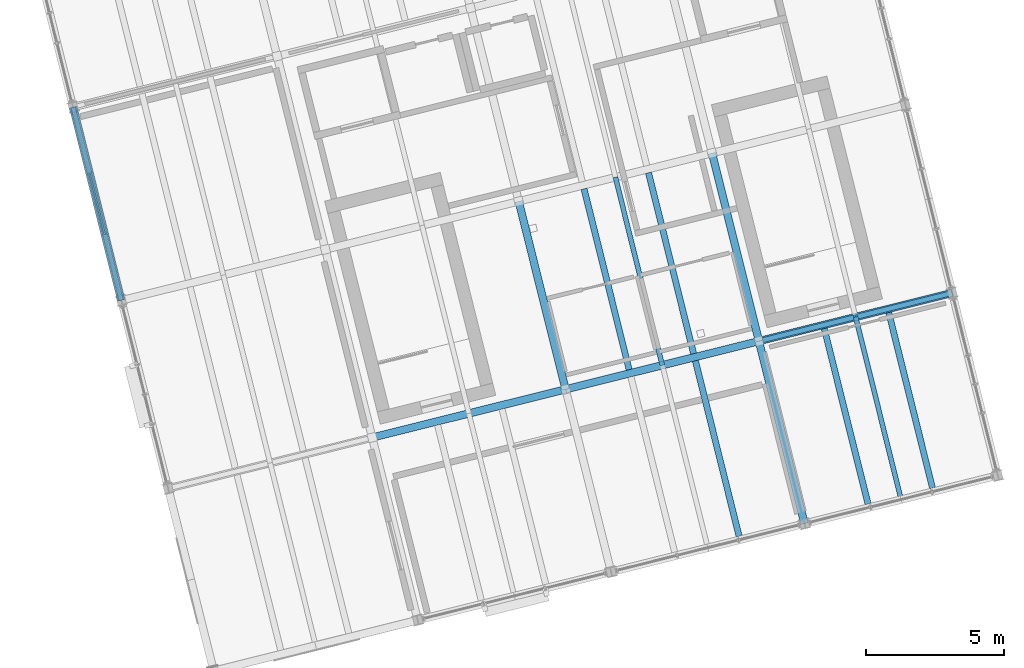
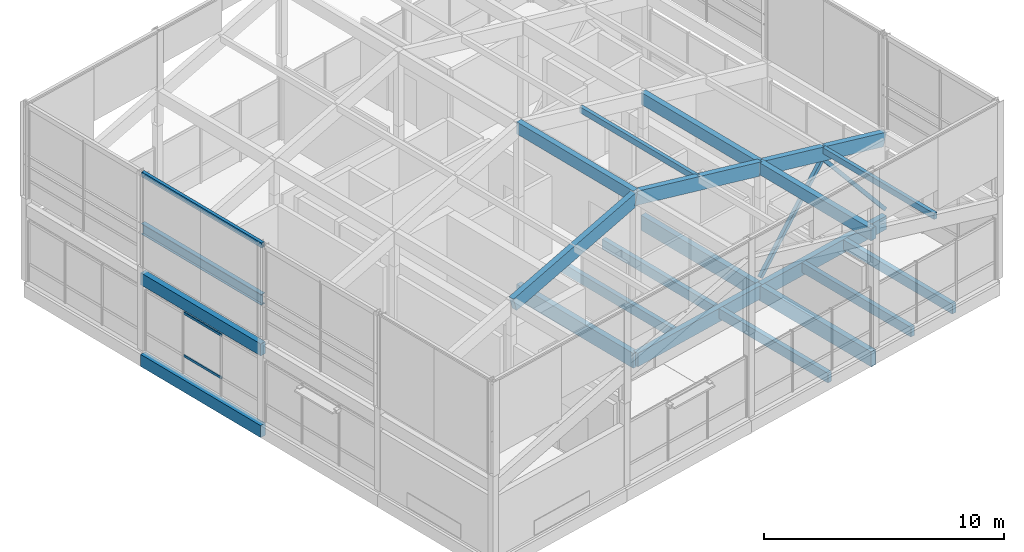
# One storey, part 11 of 31: 20 beams, 6 members, 1 element without a shape of its own.
"""IFC4 building model written with IfcOpenShell, lengths in metres."""

from ifc_helpers import new_model, si_unit, direction, frame, origin, origin_2d, place, context, subcontext, project, spatial, rectangle, hollow_rectangle, i_section, extrude, material, layer, layer_set, material_profile, profile_set, type_object, element, aggregate, save


model = new_model("IFC4")

# Units and contexts
model_context = context("Model", 3, precision=1e-05, world=origin(), true_north=direction((0.0, 1.0)))
body_context = subcontext(model_context, "Body", "Model", "MODEL_VIEW")
ifc_project = project(units=[si_unit("LENGTHUNIT", "METRE"), si_unit("AREAUNIT", "SQUARE_METRE"), si_unit("VOLUMEUNIT", "CUBIC_METRE"), si_unit("PLANEANGLEUNIT", "RADIAN"), si_unit("MASSUNIT", "GRAM", prefix="KILO")], contexts=[model_context])

# Site, building, storey
site_placement = place(None, origin())
site = spatial("IfcSite", under=ifc_project, at=site_placement, CompositionType="ELEMENT")
building_placement = place(site_placement, origin())
building = spatial("IfcBuilding", under=site, at=building_placement, Name="Meriwether Solvik Hall", CompositionType="ELEMENT")
storey_placement = place(building_placement, frame((0.0, 0.0, 61.199951171875)))
storey = spatial("IfcBuildingStorey", under=building, at=storey_placement, Name="L15", CompositionType="ELEMENT", Elevation=61.199951171875)

# Beams
ifc_material_1 = material(Name="Glulam Douglas-Fir 24F-V8 GL28h", Category="wood")
ifc_material_profile_1 = material_profile(ifc_material_1, rectangle(XDim=0.27294921875, YDim=0.610107421875, at=origin_2d()), Name="GLB-273X610")
ifc_profile_set_1 = profile_set([ifc_material_profile_1], Name="Glulam Douglas-Fir 24F-V8 GL28h")
beam_type_1 = type_object("IfcBeamType", Name="BM-GL-273X610", PredefinedType="SPANDREL", material=ifc_profile_set_1)
for number, where, z_axis, x_axis, name in (
    (1, (65.261474609375, 54.590087890625, -0.550048828125), (-0.241937193493, 0.970291911955, 0.0), (-0.970291911955, -0.241937193493, 0.0), "Tower Girder T1:TC-TD (L15)"),
    (2, (65.261474609375, 54.590087890625, 3.59912109375), (-0.241937193493, 0.970291911955, 0.0), (-0.970291911955, -0.241937193493, 0.0), "Roof Tie Beam T1:TC-TD"),
):
    element("IfcBeam", number, at=place(storey_placement, frame(where, z_axis=z_axis, x_axis=x_axis)), inside=storey, type_object=beam_type_1, Name=name, PredefinedType="SPANDREL", context=body_context, shape_type="SweptSolid", body=[
        extrude(rectangle(XDim=0.27294921875, YDim=0.610107421875, at=origin_2d()), origin(), (0.0, 0.0, 1.0), 7.199951171875),
    ])
beam_1_placement = place(storey_placement, frame((81.3154296875, 51.37841796875, 7.698974609375), z_axis=(-0.241944715397, 0.970290036376, 0.0), x_axis=(-0.970290036376, -0.241944715397, 0.0)))
element("IfcBeam", 3, at=beam_1_placement, inside=storey, type_object=beam_type_1, Name="Roof Tie Beam T3:TB-TC", PredefinedType="SPANDREL", context=body_context, shape_type="SweptSolid", body=[
    extrude(rectangle(XDim=0.27294921875, YDim=0.610107421875, at=origin_2d()), origin(), (0.0, 0.0, 1.0), 7.0),
])
beam_2_placement = place(storey_placement, frame((89.946533203125, 46.522216796875, 5.698974609375), z_axis=(-0.24191045034, 0.970298579828, 0.0), x_axis=(-0.970298579828, -0.24191045034, 0.0)))
element("IfcBeam", 4, at=beam_2_placement, inside=storey, type_object=beam_type_1, Name="Roof Tie Beam T4:TA-TB", PredefinedType="SPANDREL", context=body_context, shape_type="SweptSolid", body=[
    extrude(rectangle(XDim=0.27294921875, YDim=0.610107421875, at=origin_2d()), origin(), (0.0, 0.0, 1.0), 6.800048828125),
])
beam_3_placement = place(storey_placement, frame((88.301513671875, 53.120361328125, 5.698974609375), z_axis=(-0.241944715397, 0.970290036376, 0.0), x_axis=(-0.970290036376, -0.241944715397, 0.0)))
element("IfcBeam", 5, at=beam_3_placement, inside=storey, type_object=beam_type_1, Name="Roof Tie Beam T4:TB-TC", PredefinedType="SPANDREL", context=body_context, shape_type="SweptSolid", body=[
    extrude(rectangle(XDim=0.27294921875, YDim=0.610107421875, at=origin_2d()), origin(), (0.0, 0.0, 1.0), 7.0),
])
ifc_material_2 = material(Name="Glulam Douglas-Fir 24F-V8 GL28h", Category="wood")
ifc_material_profile_2 = material_profile(ifc_material_2, rectangle(XDim=0.27294921875, YDim=0.68505859375, at=origin_2d()), Name="GLB-273X685")
ifc_profile_set_2 = profile_set([ifc_material_profile_2], Name="Glulam Douglas-Fir 24F-V8 GL28h")
beam_type_2 = type_object("IfcBeamType", Name="BM-GL-273X685", PredefinedType="BEAM", material=ifc_profile_set_2)
for number, where, z_axis, x_axis, name in (
    (6, (81.3154296875, 51.37841796875, -0.58740234375), (0.970291911955, 0.241937193493, 0.0), (-0.241937193493, 0.970291911955, 0.0), "Tower Girder TB:T3-T4 (L15)"),
    (7, (88.301513671875, 53.120361328125, -0.58740234375), (0.970299871507, 0.241905269381, 0.0), (-0.241905269381, 0.970299871507, 0.0), "Tower Girder TB:T4-T5 (L15)"),
):
    element("IfcBeam", number, at=place(storey_placement, frame(where, z_axis=z_axis, x_axis=x_axis)), inside=storey, type_object=beam_type_2, Name=name, PredefinedType="BEAM", context=body_context, shape_type="SweptSolid", body=[
        extrude(rectangle(XDim=0.27294921875, YDim=0.68505859375, at=origin_2d()), origin(), (0.0, 0.0, 1.0), 7.199951171875),
    ])
beam_4_placement = place(storey_placement, frame((74.41796875, 49.65869140625, 5.679443359375), z_axis=(0.935073124993, 0.233155573889, 0.266977020136), x_axis=(-0.241937193493, 0.970291911955, 0.0)))
element("IfcBeam", 8, at=beam_4_placement, inside=storey, type_object=beam_type_2, Name="Sloped Roof Rafter TB:T2-T3", PredefinedType="BEAM", context=body_context, shape_type="SweptSolid", body=[
    extrude(rectangle(XDim=0.27294921875, YDim=0.68505859375, at=origin_2d()), origin(), (0.0, 0.0, 1.0), 7.47119140625),
])
for number, where, z_axis, x_axis, name in (
    (9, (81.226318359375, 51.356201171875, 7.674072265625), (0.93489346428, 0.233110776433, -0.267644496222), (-0.241937193493, 0.970291911955, 0.0), "Sloped Roof Rafter TB:T3-T4"),
    (10, (88.21240234375, 53.09814453125, 5.674072265625), (0.934904699241, 0.233072760846, -0.267638359525), (-0.241897310542, 0.970301855688, 0.0), "Sloped Roof Rafter TB:T4-T5"),
):
    element("IfcBeam", number, at=place(storey_placement, frame(where, z_axis=z_axis, x_axis=x_axis)), inside=storey, type_object=beam_type_2, Name=name, PredefinedType="BEAM", context=body_context, shape_type="SweptSolid", body=[
        extrude(rectangle(XDim=0.27294921875, YDim=0.68505859375, at=origin_2d()), origin(), (0.0, 0.0, 1.0), 7.47265625),
    ])
ifc_material_3 = material(Name="Glulam Douglas-Fir 24F-V8 GL28h", Category="wood")
ifc_material_profile_3 = material_profile(ifc_material_3, rectangle(XDim=0.27294921875, YDim=0.760009765625, at=origin_2d()), Name="GLB-273X760")
ifc_profile_set_3 = profile_set([ifc_material_profile_3], Name="Glulam Douglas-Fir 24F-V8 GL28h")
beam_type_3 = type_object("IfcBeamType", Name="BM-GL-273X760", PredefinedType="BEAM", material=ifc_profile_set_3)
beam_5_placement = place(storey_placement, frame((81.3154296875, 51.37841796875, -0.625), z_axis=(-0.241944715397, 0.970290036376, 0.0), x_axis=(-0.970290036376, -0.241944715397, 0.0)))
element("IfcBeam", 11, at=beam_5_placement, inside=storey, type_object=beam_type_3, Name="Tower Girder T3:TB-TC (L15)", PredefinedType="BEAM", context=body_context, shape_type="SweptSolid", body=[
    extrude(rectangle(XDim=0.27294921875, YDim=0.760009765625, at=origin_2d()), origin(), (0.0, 0.0, 1.0), 7.0),
])
beam_6_placement = place(storey_placement, frame((89.946533203125, 46.522216796875, -0.625), z_axis=(-0.24191045034, 0.970298579828, 0.0), x_axis=(-0.970298579828, -0.24191045034, 0.0)))
element("IfcBeam", 12, at=beam_6_placement, inside=storey, type_object=beam_type_3, Name="Tower Girder T4:TA-TB (L15)", PredefinedType="BEAM", context=body_context, shape_type="SweptSolid", body=[
    extrude(rectangle(XDim=0.27294921875, YDim=0.760009765625, at=origin_2d()), origin(), (0.0, 0.0, 1.0), 6.800048828125),
])
beam_7_placement = place(storey_placement, frame((88.301513671875, 53.120361328125, -0.625), z_axis=(-0.241944715397, 0.970290036376, 0.0), x_axis=(-0.970290036376, -0.241944715397, 0.0)))
element("IfcBeam", 13, at=beam_7_placement, inside=storey, type_object=beam_type_3, Name="Tower Girder T4:TB-TC (L15)", PredefinedType="BEAM", context=body_context, shape_type="SweptSolid", body=[
    extrude(rectangle(XDim=0.27294921875, YDim=0.760009765625, at=origin_2d()), origin(), (0.0, 0.0, 1.0), 7.0),
])
ifc_material_4 = material(Name="Steel A500 Grade C", Category="steel")
ifc_material_profile_4 = material_profile(ifc_material_4, hollow_rectangle(XDim=0.152099609375, YDim=0.25390625, WallThickness=0.009521484375, at=origin_2d()), Name="HSS254X152X9.5")
ifc_profile_set_4 = profile_set([ifc_material_profile_4], Name="Steel A500 Grade C")
beam_type_4 = type_object("IfcBeamType", Name="BM-STL-HSS254", PredefinedType="SPANDREL", material=ifc_profile_set_4)
beam_8_placement = place(storey_placement, frame((63.51953125, 61.576171875, 8.873046875), z_axis=(0.241937193493, -0.970291911955, 0.0), x_axis=(0.970291911955, 0.241937193493, 0.0)))
element("IfcBeam", 14, at=beam_8_placement, inside=storey, type_object=beam_type_4, Name="Crown Cap Ring Beam T1TD-T1TC", PredefinedType="SPANDREL", context=body_context, shape_type="SweptSolid", body=[
    extrude(hollow_rectangle(XDim=0.152099609375, YDim=0.25390625, WallThickness=0.009521484375, at=origin_2d()), origin(), (0.0, 0.0, 1.0), 7.199951171875),
])
ifc_material_5 = material(Name="Steel A992 Grade 50", Category="steel")
ifc_material_profile_5 = material_profile(ifc_material_5, i_section(OverallWidth=0.214111328125, OverallDepth=0.549072265625, WebThickness=0.0146484375, FlangeThickness=0.023681640625, at=origin_2d()), Name="W21X93")
ifc_profile_set_5 = profile_set([ifc_material_profile_5], Name="Steel A992 Grade 50")
beam_type_5 = type_object("IfcBeamType", Name="BM-STL-W21X93", PredefinedType="SPANDREL", material=ifc_profile_set_5)
beam_9_placement = place(storey_placement, frame((63.51953125, 61.576171875, 6.12548828125), z_axis=(0.241937193493, -0.970291911955, 0.0), x_axis=(0.970291911955, 0.241937193493, 0.0)))
element("IfcBeam", 15, at=beam_9_placement, inside=storey, type_object=beam_type_5, Name="Crown Wind Girt Beam T1TD-T1TC", PredefinedType="SPANDREL", context=body_context, shape_type="SweptSolid", body=[
    extrude(i_section(OverallWidth=0.214111328125, OverallDepth=0.549072265625, WebThickness=0.0146484375, FlangeThickness=0.023681640625, at=origin_2d()), origin(), (0.0, 0.0, 1.0), 7.199951171875),
])

# Curtain wall, members
ifc_material_6 = material(Name="Thermally Broken Anodised Aluminium 6063-T6 and Low-E Glass", Category="aluminium")
ifc_layer = layer(ifc_material_6, 0.179931640625)
ifc_layer_set = layer_set([ifc_layer], Name="Thermally Broken Anodised Aluminium 6063-T6 and Low-E Glass")
curtain_wall_type = type_object("IfcCurtainWallType", Name="CW-UNIT-D", PredefinedType="USERDEFINED", material=ifc_layer_set)
curtain_wall_placement = place(storey_placement, origin())
curtain_wall = element("IfcCurtainWall", 16, at=curtain_wall_placement, inside=storey, type_object=curtain_wall_type, Name="Curtain Wall E3_B2 (L15)", ObjectType="UNITISED CURTAIN WALL", PredefinedType="USERDEFINED")
ifc_material_7 = material(Name="Anodised Aluminium 6063-T6", Category="aluminium")
ifc_material_profile_6 = material_profile(ifc_material_7, hollow_rectangle(XDim=0.06005859375, YDim=0.1201171875, WallThickness=0.00390625, at=origin_2d()), Name="CWT-60X120")
ifc_profile_set_6 = profile_set([ifc_material_profile_6], Name="Anodised Aluminium 6063-T6")
member_type_1 = type_object("IfcMemberType", Name="CW-TRN-60X120", PredefinedType="USERDEFINED", material=ifc_profile_set_6)
member_1_placement = place(storey_placement, frame((64.667236328125, 56.9736328125, 0.880126953125), z_axis=(-0.241907601634, 0.97029929005, 0.0), x_axis=(-0.97029929005, -0.241907601634, 0.0)))
member_1 = element("IfcMember", 17, at=member_1_placement, type_object=member_type_1, Name="Curtain Wall Transom 2-sill", ObjectType="TRANSOM", PredefinedType="USERDEFINED", context=body_context, shape_type="SweptSolid", body=[
    extrude(hollow_rectangle(XDim=0.06005859375, YDim=0.1201171875, WallThickness=0.00390625, at=origin_2d()), origin(), (0.0, 0.0, 1.0), 2.286865234375),
])
member_2_placement = place(storey_placement, frame((64.667236328125, 56.9736328125, 3.0419921875), z_axis=(-0.241907601634, 0.97029929005, 0.0), x_axis=(-0.97029929005, -0.241907601634, 0.0)))
member_2 = element("IfcMember", 18, at=member_2_placement, type_object=member_type_1, Name="Curtain Wall Transom 2-head", ObjectType="TRANSOM", PredefinedType="USERDEFINED", context=body_context, shape_type="SweptSolid", body=[
    extrude(hollow_rectangle(XDim=0.06005859375, YDim=0.1201171875, WallThickness=0.00390625, at=origin_2d()), origin(), (0.0, 0.0, 1.0), 2.286865234375),
])
aggregate(curtain_wall, [member_1, member_2])

# Beams
ifc_material_8 = material(Name="Glulam Douglas-Fir 24F-V8 GL28h", Category="wood")
ifc_material_profile_7 = material_profile(ifc_material_8, rectangle(XDim=0.221923828125, YDim=0.4951171875, at=origin_2d()), Name="GLJ-222X495")
ifc_profile_set_7 = profile_set([ifc_material_profile_7], Name="Glulam Douglas-Fir 24F-V8 GL28h")
beam_type_6 = type_object("IfcBeamType", Name="JST-GL-222X495", PredefinedType="JOIST", material=ifc_profile_set_7)
beam_10_placement = place(storey_placement, frame((87.5859375, 46.0693359375, -0.492431640625), z_axis=(-0.241902854765, 0.970300473491, 0.0), x_axis=(-0.970300473491, -0.241902854765, 0.0)))
element("IfcBeam", 19, at=beam_10_placement, inside=storey, type_object=beam_type_6, Name="Glulam Floor Joist T3/TA-J2 (L15)", PredefinedType="JOIST", context=body_context, shape_type="SweptSolid", body=[
    extrude(rectangle(XDim=0.221923828125, YDim=0.4951171875, at=origin_2d()), origin(), (0.0, 0.0, 1.0), 6.536865234375),
])
for number, where, z_axis, x_axis, name in (
    (20, (83.6123046875, 52.086669921875, -0.492431640625), (-0.241930176813, 0.9702936615, 0.0), (-0.9702936615, -0.241930176813, 0.0), "Glulam Floor Joist T3/TB-J1 (L15)"),
    (21, (85.94091796875, 52.667236328125, -0.492431640625), (-0.241930176813, 0.9702936615, 0.0), (-0.9702936615, -0.241930176813, 0.0), "Glulam Floor Joist T3/TB-J2 (L15)"),
):
    element("IfcBeam", number, at=place(storey_placement, frame(where, z_axis=z_axis, x_axis=x_axis)), inside=storey, type_object=beam_type_6, Name=name, PredefinedType="JOIST", context=body_context, shape_type="SweptSolid", body=[
        extrude(rectangle(XDim=0.221923828125, YDim=0.4951171875, at=origin_2d()), origin(), (0.0, 0.0, 1.0), 6.737060546875),
    ])
for number, where, z_axis, x_axis, name in (
    (22, (92.243408203125, 47.23046875, -0.492431640625), (-0.241938016776, 0.970291706673, 0.0), (-0.970291706673, -0.241938016776, 0.0), "Glulam Floor Joist T4/TA-J1 (L15)"),
    (23, (94.572021484375, 47.81103515625, -0.492431640625), (-0.241902854765, 0.970300473491, 0.0), (-0.970300473491, -0.241902854765, 0.0), "Glulam Floor Joist T4/TA-J2 (L15)"),
):
    element("IfcBeam", number, at=place(storey_placement, frame(where, z_axis=z_axis, x_axis=x_axis)), inside=storey, type_object=beam_type_6, Name=name, PredefinedType="JOIST", context=body_context, shape_type="SweptSolid", body=[
        extrude(rectangle(XDim=0.221923828125, YDim=0.4951171875, at=origin_2d()), origin(), (0.0, 0.0, 1.0), 6.536865234375),
    ])

# Members
ifc_material_9 = material(Name="Steel A500 Grade C", Category="steel")
ifc_material_profile_8 = material_profile(ifc_material_9, hollow_rectangle(XDim=0.177978515625, YDim=0.177978515625, WallThickness=0.009521484375, at=origin_2d()), Name="HSS178X178X9.5")
ifc_profile_set_8 = profile_set([ifc_material_profile_8], Name="Steel A500 Grade C")
member_type_2 = type_object("IfcMemberType", Name="MEM-BR-HSS178", PredefinedType="BRACE", material=ifc_profile_set_8)
for number, where, z_axis, x_axis, name in (
    (24, (88.301513671875, 53.120361328125, 0.050048828125), (0.622080970059, 0.155096303921, 0.767437556548), (-0.241913228726, 0.970297887129, 0.0), "Tower Chevron Brace L15-B3A"),
    (25, (95.28759765625, 54.862060546875, 0.050048828125), (-0.622107623421, -0.155092108802, 0.767416798531), (0.241897310542, -0.970301855688, 0.0), "Tower Chevron Brace L15-B3B"),
):
    element("IfcMember", number, at=place(storey_placement, frame(where, z_axis=z_axis, x_axis=x_axis)), inside=storey, type_object=member_type_2, Name=name, PredefinedType="BRACE", context=body_context, shape_type="SweptSolid", body=[
        extrude(hollow_rectangle(XDim=0.177978515625, YDim=0.177978515625, WallThickness=0.009521484375, at=origin_2d()), origin(), (0.0, 0.0, 1.0), 5.614990234375),
    ])
ifc_material_10 = material(Name="Glulam Douglas-Fir 24F-V8 GL28h", Category="wood")
ifc_material_profile_9 = material_profile(ifc_material_10, rectangle(XDim=0.175048828125, YDim=0.304931640625, at=origin_2d()), Name="GLM-175X305")
ifc_profile_set_9 = profile_set([ifc_material_profile_9], Name="Glulam Douglas-Fir 24F-V8 GL28h")
member_type_3 = type_object("IfcMemberType", Name="MEM-PRL-GL175", PredefinedType="PURLIN", material=ifc_profile_set_9)
member_3_placement = place(storey_placement, frame((84.808349609375, 52.249267578125, 6.8515625), z_axis=(-0.241903692719, 0.970300264582, 0.0), x_axis=(-0.970300264582, -0.241903692719, 0.0)))
element("IfcMember", 26, at=member_3_placement, inside=storey, type_object=member_type_3, Name="Tower Roof Glulam Purlin 3.2", PredefinedType="PURLIN", context=body_context, shape_type="SweptSolid", body=[
    extrude(rectangle(XDim=0.175048828125, YDim=0.304931640625, at=origin_2d()), origin(), (0.0, 0.0, 1.0), 7.000244140625),
])
member_4_placement = place(storey_placement, frame((93.439453125, 47.393310546875, 4.8515625), z_axis=(-0.241918877831, 0.970296478685, 0.0), x_axis=(-0.970296478685, -0.241918877831, 0.0)))
element("IfcMember", 27, at=member_4_placement, inside=storey, type_object=member_type_3, Name="Tower Roof Glulam Purlin 4.1", PredefinedType="PURLIN", context=body_context, shape_type="SweptSolid", body=[
    extrude(rectangle(XDim=0.175048828125, YDim=0.304931640625, at=origin_2d()), origin(), (0.0, 0.0, 1.0), 6.7998046875),
])

save(model, "model.ifc")
